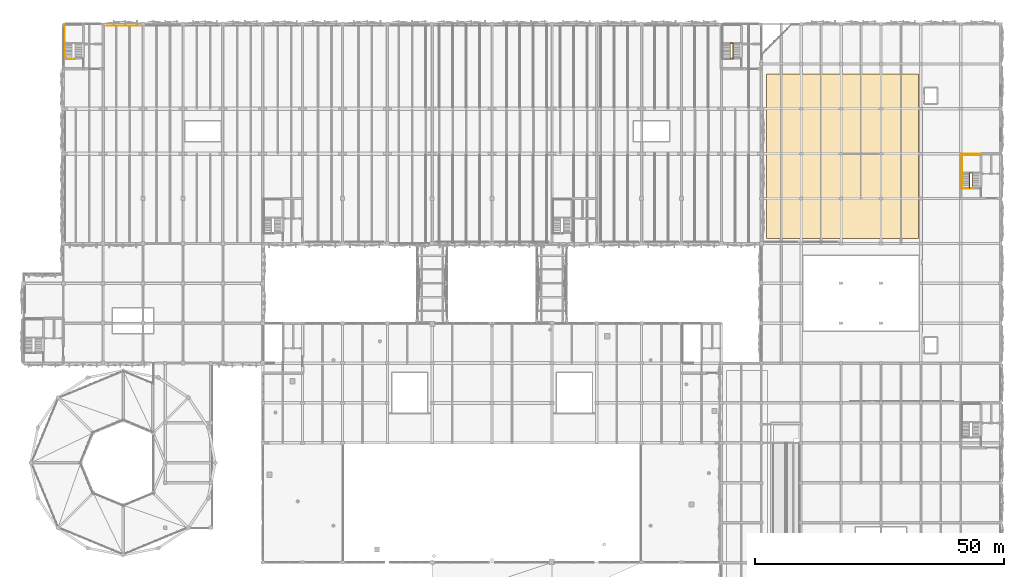
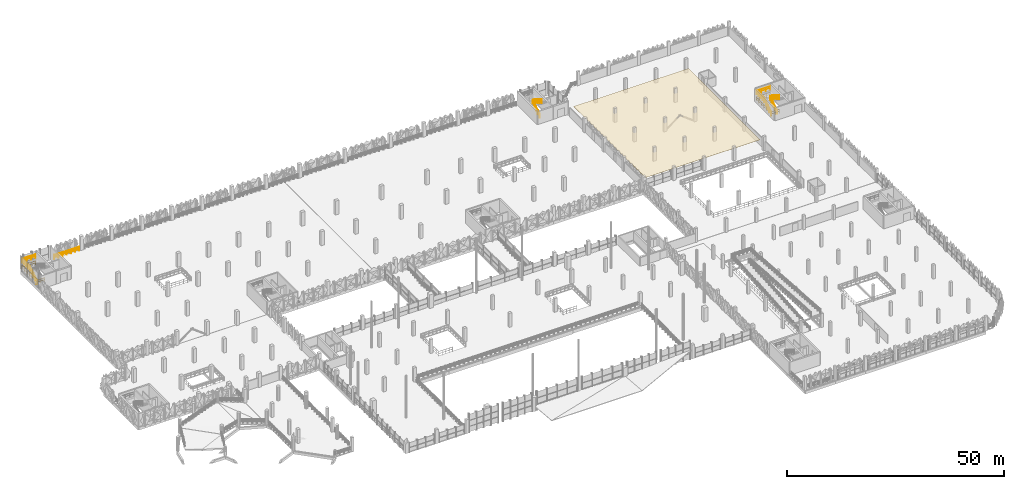
# One storey, part 121 of 123: 7 railings, 1 covering.
"""IFC4 building model written with IfcOpenShell, lengths in metres."""

from ifc_helpers import new_model, si_unit, derived_unit, direction, frame, origin, origin_2d, place, context, subcontext, project, spatial, polyline, circle, outline, extrude, material, layer, layer_set, type_object, element, save


model = new_model("IFC4")

# Units and contexts
model_context = context("Model", 3, precision=1e-05, world=origin(), true_north=direction((0.0, 1.0)))
body_context = subcontext(model_context, "Body", "Model", "MODEL_VIEW")
ifc_project = project(units=[si_unit("LENGTHUNIT", "METRE"), si_unit("AREAUNIT", "SQUARE_METRE"), si_unit("VOLUMEUNIT", "CUBIC_METRE"), si_unit("PLANEANGLEUNIT", "RADIAN"), si_unit("MASSUNIT", "GRAM", prefix="KILO"), si_unit("THERMODYNAMICTEMPERATUREUNIT", "KELVIN"), derived_unit("THERMALTRANSMITTANCEUNIT", [(si_unit("POWERUNIT", "WATT"), 1), (si_unit("AREAUNIT", "SQUARE_METRE"), -1), (si_unit("THERMODYNAMICTEMPERATUREUNIT", "KELVIN"), -1)])], contexts=[model_context])

# Site, building, storey
site_placement = place(None, origin())
site = spatial("IfcSite", under=ifc_project, at=site_placement, CompositionType="ELEMENT")
building_placement = place(site_placement, origin())
building = spatial("IfcBuilding", under=site, at=building_placement, Name="Haiyu Intermodal Mobility Hub", CompositionType="ELEMENT")
storey_placement = place(building_placement, frame((0.0, 0.0, 5.60009765625)))
storey = spatial("IfcBuildingStorey", under=building, at=storey_placement, Name="L01", CompositionType="ELEMENT", Elevation=5.60009765625)

# Covering
ifc_material_1 = material(Name="Champagne perforated aluminium 6063-T6", Category="aluminium")
ifc_layer = layer(ifc_material_1, 0.139892578125)
ifc_layer_set = layer_set([ifc_layer], Name="Champagne perforated aluminium 6063-T6")
covering_type = type_object("IfcCoveringType", Name="COV-CV01", PredefinedType="CLADDING", material=ifc_layer_set)
covering_placement = place(storey_placement, frame((0.0, 0.0, 2.39990234375)))
element("IfcCovering", 1, at=covering_placement, inside=storey, type_object=covering_type, Name="COV-CEIL-003", PredefinedType="CLADDING", context=body_context, shape_type="SweptSolid", body=[
    extrude(outline(polyline([(163.0, 105.0), (193.5, 105.0), (193.5, 138.0), (163.0, 138.0), (163.0, 105.0)])), origin(), (0.0, 0.0, 1.0), 0.044921875),
])

# Railings
ifc_material_2 = material(Name="Steel Q355C", Category="steel")
railing_type_1 = type_object("IfcRailingType", Name="RAL-GR01", PredefinedType="GUARDRAIL", material=ifc_material_2)
railing_1_placement = place(storey_placement, frame((37.300048828125, 147.659912109375, 0.0)))
element("IfcRailing", 2, at=railing_1_placement, inside=storey, type_object=railing_type_1, Name="RAL-CAR-N-0009", PredefinedType="GUARDRAIL", context=body_context, shape_type="SweptSolid", body=[
    extrude(circle(Radius=0.02392578125, at=origin_2d()), frame((-0.030029296875, 0.0, 1.17578125), z_axis=(-1.0, 0.0, 0.0), x_axis=(0.0, -1.0, 0.0)), (0.0, 0.0, 1.0), 6.5400390625),
    extrude(circle(Radius=0.02392578125, at=origin_2d()), frame((-0.037353515625, 0.0, 0.60009765625), z_axis=(-1.0, 0.0, 0.0), x_axis=(0.0, -1.0, 0.0)), (0.0, 0.0, 1.0), 1.025390625),
    extrude(circle(Radius=0.02392578125, at=origin_2d()), frame((-1.13720703125, 0.0, 0.60009765625), z_axis=(-1.0, 0.0, 0.0), x_axis=(0.0, -1.0, 0.0)), (0.0, 0.0, 1.0), 1.025390625),
    extrude(circle(Radius=0.02392578125, at=origin_2d()), frame((-2.2373046875, 0.0, 0.60009765625), z_axis=(-1.0, 0.0, 0.0), x_axis=(0.0, -1.0, 0.0)), (0.0, 0.0, 1.0), 1.025390625),
    extrude(circle(Radius=0.02392578125, at=origin_2d()), frame((-3.33740234375, 0.0, 0.60009765625), z_axis=(-1.0, 0.0, 0.0), x_axis=(0.0, -1.0, 0.0)), (0.0, 0.0, 1.0), 1.025390625),
    extrude(circle(Radius=0.02392578125, at=origin_2d()), frame((-4.437255859375, 0.0, 0.60009765625), z_axis=(-1.0, 0.0, 0.0), x_axis=(0.0, -1.0, 0.0)), (0.0, 0.0, 1.0), 1.025390625),
    extrude(circle(Radius=0.02392578125, at=origin_2d()), frame((-5.537353515625, 0.0, 0.60009765625), z_axis=(-1.0, 0.0, 0.0), x_axis=(0.0, -1.0, 0.0)), (0.0, 0.0, 1.0), 1.025390625),
    extrude(circle(Radius=0.02099609375, at=origin_2d()), origin(), (0.0, 0.0, 1.0), 1.143798828125),
    extrude(circle(Radius=0.02099609375, at=origin_2d()), frame((-1.10009765625, 0.0, 0.0)), (0.0, 0.0, 1.0), 1.143798828125),
    extrude(circle(Radius=0.02099609375, at=origin_2d()), frame((-2.199951171875, 0.0, 0.0)), (0.0, 0.0, 1.0), 1.143798828125),
    extrude(circle(Radius=0.02099609375, at=origin_2d()), frame((-3.300048828125, 0.0, 0.0)), (0.0, 0.0, 1.0), 1.143798828125),
    extrude(circle(Radius=0.02099609375, at=origin_2d()), frame((-4.400146484375, 0.0, 0.0)), (0.0, 0.0, 1.0), 1.143798828125),
    extrude(circle(Radius=0.02099609375, at=origin_2d()), frame((-5.5, 0.0, 0.0)), (0.0, 0.0, 1.0), 1.143798828125),
    extrude(circle(Radius=0.02099609375, at=origin_2d()), frame((-6.60009765625, 0.0, 0.0)), (0.0, 0.0, 1.0), 1.143798828125),
])
railing_type_2 = type_object("IfcRailingType", Name="RAL-GR03", PredefinedType="GUARDRAIL", material=ifc_material_2)
railing_2_placement = place(storey_placement, frame((24.31005859375, 141.010009765625, 0.0)))
element("IfcRailing", 3, at=railing_2_placement, inside=storey, type_object=railing_type_2, Name="Stair Shaft Floor Guard STR-C3-L00", PredefinedType="GUARDRAIL", context=body_context, shape_type="SweptSolid", body=[
    extrude(circle(Radius=0.02392578125, at=origin_2d()), frame((-0.030029296875, 0.0, 1.09619140625), z_axis=(-1.0, 0.0, 0.0), x_axis=(0.0, -1.0, 0.0)), (0.0, 0.0, 1.0), 2.030029296875),
    extrude(circle(Radius=0.02392578125, at=origin_2d()), frame((-0.037353515625, 0.0, 0.56005859375), z_axis=(-1.0, 0.0, 0.0), x_axis=(0.0, -1.0, 0.0)), (0.0, 0.0, 1.0), 0.970458984375),
    extrude(circle(Radius=0.02392578125, at=origin_2d()), frame((-1.082275390625, 0.0, 0.56005859375), z_axis=(-1.0, 0.0, 0.0), x_axis=(0.0, -1.0, 0.0)), (0.0, 0.0, 1.0), 0.970458984375),
    extrude(circle(Radius=0.02392578125, at=origin_2d()), frame((-2.090087890625, 0.030029296875, 1.09619140625), z_axis=(0.0, 1.0, 0.0), x_axis=(-1.0, 0.0, 0.0)), (0.0, 0.0, 1.0), 6.8798828125),
    extrude(circle(Radius=0.02392578125, at=origin_2d()), frame((-2.090087890625, 0.037353515625, 0.56005859375), z_axis=(0.0, 1.0, 0.0), x_axis=(-1.0, 0.0, 0.0)), (0.0, 0.0, 1.0), 1.08203125),
    extrude(circle(Radius=0.02392578125, at=origin_2d()), frame((-2.090087890625, 1.19384765625, 0.56005859375), z_axis=(0.0, 1.0, 0.0), x_axis=(-1.0, 0.0, 0.0)), (0.0, 0.0, 1.0), 1.08203125),
    extrude(circle(Radius=0.02392578125, at=origin_2d()), frame((-2.090087890625, 2.3505859375, 0.56005859375), z_axis=(0.0, 1.0, 0.0), x_axis=(-1.0, 0.0, 0.0)), (0.0, 0.0, 1.0), 1.08203125),
    extrude(circle(Radius=0.02392578125, at=origin_2d()), frame((-2.090087890625, 3.50732421875, 0.56005859375), z_axis=(0.0, 1.0, 0.0), x_axis=(-1.0, 0.0, 0.0)), (0.0, 0.0, 1.0), 1.08203125),
    extrude(circle(Radius=0.02392578125, at=origin_2d()), frame((-2.090087890625, 4.663818359375, 0.56005859375), z_axis=(0.0, 1.0, 0.0), x_axis=(-1.0, 0.0, 0.0)), (0.0, 0.0, 1.0), 1.08203125),
    extrude(circle(Radius=0.02392578125, at=origin_2d()), frame((-2.090087890625, 5.820556640625, 0.56005859375), z_axis=(0.0, 1.0, 0.0), x_axis=(-1.0, 0.0, 0.0)), (0.0, 0.0, 1.0), 1.08203125),
    extrude(circle(Radius=0.02392578125, at=origin_2d()), frame((-2.06005859375, 6.93994140625, 1.09619140625), z_axis=(1.0, 0.0, 0.0), x_axis=(0.0, 1.0, 0.0)), (0.0, 0.0, 1.0), 3.590087890625),
    extrude(circle(Radius=0.02392578125, at=origin_2d()), frame((-2.052734375, 6.93994140625, 0.56005859375), z_axis=(1.0, 0.0, 0.0), x_axis=(0.0, 1.0, 0.0)), (0.0, 0.0, 1.0), 0.837890625),
    extrude(circle(Radius=0.02392578125, at=origin_2d()), frame((-1.14013671875, 6.93994140625, 0.56005859375), z_axis=(1.0, 0.0, 0.0), x_axis=(0.0, 1.0, 0.0)), (0.0, 0.0, 1.0), 0.837890625),
    extrude(circle(Radius=0.02392578125, at=origin_2d()), frame((-0.227783203125, 6.93994140625, 0.56005859375), z_axis=(1.0, 0.0, 0.0), x_axis=(0.0, 1.0, 0.0)), (0.0, 0.0, 1.0), 0.837890625),
    extrude(circle(Radius=0.02392578125, at=origin_2d()), frame((0.684814453125, 6.93994140625, 0.56005859375), z_axis=(1.0, 0.0, 0.0), x_axis=(0.0, 1.0, 0.0)), (0.0, 0.0, 1.0), 0.837890625),
    extrude(circle(Radius=0.02099609375, at=origin_2d()), origin(), (0.0, 0.0, 1.0), 1.06396484375),
    extrude(circle(Radius=0.02099609375, at=origin_2d()), frame((-1.044921875, 0.0, 0.0)), (0.0, 0.0, 1.0), 1.06396484375),
    extrude(circle(Radius=0.02099609375, at=origin_2d()), frame((-2.090087890625, 0.0, 0.0)), (0.0, 0.0, 1.0), 1.06396484375),
    extrude(circle(Radius=0.02099609375, at=origin_2d()), frame((-2.090087890625, 1.15673828125, 0.0)), (0.0, 0.0, 1.0), 1.06396484375),
    extrude(circle(Radius=0.02099609375, at=origin_2d()), frame((-2.090087890625, 2.313232421875, 0.0)), (0.0, 0.0, 1.0), 1.06396484375),
    extrude(circle(Radius=0.02099609375, at=origin_2d()), frame((-2.090087890625, 3.469970703125, 0.0)), (0.0, 0.0, 1.0), 1.06396484375),
    extrude(circle(Radius=0.02099609375, at=origin_2d()), frame((-2.090087890625, 4.626708984375, 0.0)), (0.0, 0.0, 1.0), 1.06396484375),
    extrude(circle(Radius=0.02099609375, at=origin_2d()), frame((-2.090087890625, 5.783203125, 0.0)), (0.0, 0.0, 1.0), 1.06396484375),
    extrude(circle(Radius=0.02099609375, at=origin_2d()), frame((-2.090087890625, 6.93994140625, 0.0)), (0.0, 0.0, 1.0), 1.06396484375),
    extrude(circle(Radius=0.02099609375, at=origin_2d()), frame((-1.177490234375, 6.93994140625, 0.0)), (0.0, 0.0, 1.0), 1.06396484375),
    extrude(circle(Radius=0.02099609375, at=origin_2d()), frame((-0.26513671875, 6.93994140625, 0.0)), (0.0, 0.0, 1.0), 1.06396484375),
    extrude(circle(Radius=0.02099609375, at=origin_2d()), frame((0.6474609375, 6.93994140625, 0.0)), (0.0, 0.0, 1.0), 1.06396484375),
    extrude(circle(Radius=0.02099609375, at=origin_2d()), frame((1.56005859375, 6.93994140625, 0.0)), (0.0, 0.0, 1.0), 1.06396484375),
])
railing_3_placement = place(storey_placement, frame((22.25, 141.050048828125, 0.0)))
element("IfcRailing", 4, at=railing_3_placement, inside=storey, type_object=railing_type_2, Name="Stair Outer Guard STR-C3-L01", PredefinedType="GUARDRAIL", context=body_context, shape_type="SweptSolid", body=[
    extrude(circle(Radius=0.02392578125, at=origin_2d()), frame((0.0, 0.025390625, 1.112060546875), z_axis=(0.0, 0.844894753029, 0.534932571736), x_axis=(-1.0, 0.0, 0.0)), (0.0, 0.0, 1.0), 3.585205078125),
    extrude(circle(Radius=0.02392578125, at=origin_2d()), frame((0.0, 0.031494140625, 0.580078125), z_axis=(0.0, 0.844894753029, 0.534932571736), x_axis=(-1.0, 0.0, 0.0)), (0.0, 0.0, 1.0), 0.836669921875),
    extrude(circle(Radius=0.02392578125, at=origin_2d()), frame((0.0, 0.801513671875, 1.0673828125), z_axis=(0.0, 0.844894753029, 0.534932571736), x_axis=(-1.0, 0.0, 0.0)), (0.0, 0.0, 1.0), 0.836669921875),
    extrude(circle(Radius=0.02392578125, at=origin_2d()), frame((0.0, 1.571533203125, 1.554931640625), z_axis=(0.0, 0.844894753029, 0.534932571736), x_axis=(-1.0, 0.0, 0.0)), (0.0, 0.0, 1.0), 0.836669921875),
    extrude(circle(Radius=0.02392578125, at=origin_2d()), frame((0.0, 2.34130859375, 2.04248046875), z_axis=(0.0, 0.844894753029, 0.534932571736), x_axis=(-1.0, 0.0, 0.0)), (0.0, 0.0, 1.0), 0.836669921875),
    extrude(circle(Radius=0.02392578125, at=origin_2d()), frame((0.0, 3.10986328125, 3.0458984375), z_axis=(0.0, 1.0, 0.0), x_axis=(-1.0, 0.0, 0.0)), (0.0, 0.0, 1.0), 3.570068359375),
    extrude(circle(Radius=0.02392578125, at=origin_2d()), frame((0.0, 3.1171875, 2.510009765625), z_axis=(0.0, 1.0, 0.0), x_axis=(-1.0, 0.0, 0.0)), (0.0, 0.0, 1.0), 0.8330078125),
    extrude(circle(Radius=0.02392578125, at=origin_2d()), frame((0.0, 4.024658203125, 2.510009765625), z_axis=(0.0, 1.0, 0.0), x_axis=(-1.0, 0.0, 0.0)), (0.0, 0.0, 1.0), 0.8330078125),
    extrude(circle(Radius=0.02392578125, at=origin_2d()), frame((0.0, 4.93212890625, 2.510009765625), z_axis=(0.0, 1.0, 0.0), x_axis=(-1.0, 0.0, 0.0)), (0.0, 0.0, 1.0), 0.8330078125),
    extrude(circle(Radius=0.02392578125, at=origin_2d()), frame((0.0, 5.83984375, 2.510009765625), z_axis=(0.0, 1.0, 0.0), x_axis=(-1.0, 0.0, 0.0)), (0.0, 0.0, 1.0), 0.8330078125),
    extrude(circle(Radius=0.02392578125, at=origin_2d()), frame((0.030029296875, 6.7099609375, 3.0458984375), z_axis=(1.0, 0.0, 0.0), x_axis=(0.0, 1.0, 0.0)), (0.0, 0.0, 1.0), 3.52001953125),
    extrude(circle(Radius=0.02392578125, at=origin_2d()), frame((0.037353515625, 6.7099609375, 2.510009765625), z_axis=(1.0, 0.0, 0.0), x_axis=(0.0, 1.0, 0.0)), (0.0, 0.0, 1.0), 1.11865234375),
    extrude(circle(Radius=0.02392578125, at=origin_2d()), frame((1.230712890625, 6.7099609375, 2.510009765625), z_axis=(1.0, 0.0, 0.0), x_axis=(0.0, 1.0, 0.0)), (0.0, 0.0, 1.0), 1.11865234375),
    extrude(circle(Radius=0.02392578125, at=origin_2d()), frame((2.424072265625, 6.7099609375, 2.510009765625), z_axis=(1.0, 0.0, 0.0), x_axis=(0.0, 1.0, 0.0)), (0.0, 0.0, 1.0), 1.11865234375),
    extrude(circle(Radius=0.02099609375, at=origin_2d()), origin(), (0.0, 0.0, 1.0), 1.06396484375),
    extrude(circle(Radius=0.02099609375, at=origin_2d()), frame((0.0, 0.77001953125, 0.487548828125)), (0.0, 0.0, 1.0), 1.06396484375),
    extrude(circle(Radius=0.02099609375, at=origin_2d()), frame((0.0, 1.5400390625, 0.97509765625)), (0.0, 0.0, 1.0), 1.06396484375),
    extrude(circle(Radius=0.02099609375, at=origin_2d()), frame((0.0, 2.309814453125, 1.46240234375)), (0.0, 0.0, 1.0), 1.06396484375),
    extrude(circle(Radius=0.02099609375, at=origin_2d()), frame((0.0, 3.079833984375, 1.949951171875)), (0.0, 0.0, 1.0), 1.06396484375),
    extrude(circle(Radius=0.02099609375, at=origin_2d()), frame((0.0, 3.9873046875, 1.949951171875)), (0.0, 0.0, 1.0), 1.06396484375),
    extrude(circle(Radius=0.02099609375, at=origin_2d()), frame((0.0, 4.89501953125, 1.949951171875)), (0.0, 0.0, 1.0), 1.06396484375),
    extrude(circle(Radius=0.02099609375, at=origin_2d()), frame((0.0, 5.802490234375, 1.949951171875)), (0.0, 0.0, 1.0), 1.06396484375),
    extrude(circle(Radius=0.02099609375, at=origin_2d()), frame((0.0, 6.7099609375, 1.949951171875)), (0.0, 0.0, 1.0), 1.06396484375),
    extrude(circle(Radius=0.02099609375, at=origin_2d()), frame((1.193359375, 6.7099609375, 1.949951171875)), (0.0, 0.0, 1.0), 1.06396484375),
    extrude(circle(Radius=0.02099609375, at=origin_2d()), frame((2.38671875, 6.7099609375, 1.949951171875)), (0.0, 0.0, 1.0), 1.06396484375),
    extrude(circle(Radius=0.02099609375, at=origin_2d()), frame((3.580078125, 6.7099609375, 1.949951171875)), (0.0, 0.0, 1.0), 1.06396484375),
])
railing_4_placement = place(storey_placement, frame((155.780029296875, 141.050048828125, 0.0)))
element("IfcRailing", 5, at=railing_4_placement, inside=storey, type_object=railing_type_2, Name="Stair Well Guard STR-C4-L01", PredefinedType="GUARDRAIL", context=body_context, shape_type="SweptSolid", body=[
    extrude(circle(Radius=0.02392578125, at=origin_2d()), frame((0.0, 0.025390625, 1.11181640625), z_axis=(0.0, 0.848756196164, 0.528784378999), x_axis=(-1.0, 0.0, 0.0)), (0.0, 0.0, 1.0), 3.627685546875),
    extrude(circle(Radius=0.02392578125, at=origin_2d()), frame((0.0, 0.03173828125, 0.579833984375), z_axis=(0.0, 0.848756196164, 0.528784378999), x_axis=(-1.0, 0.0, 0.0)), (0.0, 0.0, 1.0), 0.847412109375),
    extrude(circle(Radius=0.02392578125, at=origin_2d()), frame((0.0, 0.814208984375, 1.0673828125), z_axis=(0.0, 0.848756196164, 0.528784378999), x_axis=(-1.0, 0.0, 0.0)), (0.0, 0.0, 1.0), 0.847412109375),
    extrude(circle(Radius=0.02392578125, at=origin_2d()), frame((0.0, 1.5966796875, 1.5546875), z_axis=(0.0, 0.848756196164, 0.528784378999), x_axis=(-1.0, 0.0, 0.0)), (0.0, 0.0, 1.0), 0.847412109375),
    extrude(circle(Radius=0.02392578125, at=origin_2d()), frame((0.0, 2.379150390625, 2.042236328125), z_axis=(0.0, 0.848756196164, 0.528784378999), x_axis=(-1.0, 0.0, 0.0)), (0.0, 0.0, 1.0), 0.847412109375),
    extrude(circle(Radius=0.02392578125, at=origin_2d()), frame((0.030029296875, 3.1298828125, 3.0458984375), z_axis=(1.0, 0.0, 0.0), x_axis=(0.0, 1.0, 0.0)), (0.0, 0.0, 1.0), 0.469970703125),
    extrude(circle(Radius=0.02392578125, at=origin_2d()), frame((0.037353515625, 3.1298828125, 2.510009765625), z_axis=(1.0, 0.0, 0.0), x_axis=(0.0, 1.0, 0.0)), (0.0, 0.0, 1.0), 0.455322265625),
    extrude(circle(Radius=0.02392578125, at=origin_2d()), frame((0.530029296875, 3.1044921875, 3.061767578125), z_axis=(0.0, -0.848756196164, 0.528784378999), x_axis=(1.0, 0.0, 0.0)), (0.0, 0.0, 1.0), 3.627685546875),
    extrude(circle(Radius=0.02392578125, at=origin_2d()), frame((0.530029296875, 3.09814453125, 2.52978515625), z_axis=(0.0, -0.848756196164, 0.528784378999), x_axis=(1.0, 0.0, 0.0)), (0.0, 0.0, 1.0), 0.847412109375),
    extrude(circle(Radius=0.02392578125, at=origin_2d()), frame((0.530029296875, 2.315673828125, 3.017333984375), z_axis=(0.0, -0.848756196164, 0.528784378999), x_axis=(1.0, 0.0, 0.0)), (0.0, 0.0, 1.0), 0.847412109375),
    extrude(circle(Radius=0.02392578125, at=origin_2d()), frame((0.530029296875, 1.533203125, 3.504638671875), z_axis=(0.0, -0.848756196164, 0.528784378999), x_axis=(1.0, 0.0, 0.0)), (0.0, 0.0, 1.0), 0.847412109375),
    extrude(circle(Radius=0.02392578125, at=origin_2d()), frame((0.530029296875, 0.750732421875, 3.9921875), z_axis=(0.0, -0.848756196164, 0.528784378999), x_axis=(1.0, 0.0, 0.0)), (0.0, 0.0, 1.0), 0.847412109375),
    extrude(circle(Radius=0.02099609375, at=origin_2d()), origin(), (0.0, 0.0, 1.0), 1.06396484375),
    extrude(circle(Radius=0.02099609375, at=origin_2d()), frame((0.0, 0.782470703125, 0.487548828125)), (0.0, 0.0, 1.0), 1.06396484375),
    extrude(circle(Radius=0.02099609375, at=origin_2d()), frame((0.0, 1.56494140625, 0.97509765625)), (0.0, 0.0, 1.0), 1.06396484375),
    extrude(circle(Radius=0.02099609375, at=origin_2d()), frame((0.0, 2.347412109375, 1.46240234375)), (0.0, 0.0, 1.0), 1.06396484375),
    extrude(circle(Radius=0.02099609375, at=origin_2d()), frame((0.0, 3.1298828125, 1.949951171875)), (0.0, 0.0, 1.0), 1.06396484375),
    extrude(circle(Radius=0.02099609375, at=origin_2d()), frame((0.530029296875, 3.1298828125, 1.949951171875)), (0.0, 0.0, 1.0), 1.06396484375),
    extrude(circle(Radius=0.02099609375, at=origin_2d()), frame((0.530029296875, 2.347412109375, 2.4375)), (0.0, 0.0, 1.0), 1.06396484375),
    extrude(circle(Radius=0.02099609375, at=origin_2d()), frame((0.530029296875, 1.56494140625, 2.9248046875)), (0.0, 0.0, 1.0), 1.06396484375),
    extrude(circle(Radius=0.02099609375, at=origin_2d()), frame((0.530029296875, 0.782470703125, 3.412353515625)), (0.0, 0.0, 1.0), 1.06396484375),
    extrude(circle(Radius=0.02099609375, at=origin_2d()), frame((0.530029296875, 0.0, 3.89990234375)), (0.0, 0.0, 1.0), 1.06396484375),
])
railing_5_placement = place(storey_placement, frame((204.31005859375, 115.010009765625, 0.0)))
element("IfcRailing", 6, at=railing_5_placement, inside=storey, type_object=railing_type_2, Name="Stair Shaft Floor Guard STR-C10-L00", PredefinedType="GUARDRAIL", context=body_context, shape_type="SweptSolid", body=[
    extrude(circle(Radius=0.02392578125, at=origin_2d()), frame((-0.030029296875, 0.0, 1.09619140625), z_axis=(-1.0, 0.0, 0.0), x_axis=(0.0, -1.0, 0.0)), (0.0, 0.0, 1.0), 2.030029296875),
    extrude(circle(Radius=0.02392578125, at=origin_2d()), frame((-0.037353515625, 0.0, 0.56005859375), z_axis=(-1.0, 0.0, 0.0), x_axis=(0.0, -1.0, 0.0)), (0.0, 0.0, 1.0), 0.970458984375),
    extrude(circle(Radius=0.02392578125, at=origin_2d()), frame((-1.082275390625, 0.0, 0.56005859375), z_axis=(-1.0, 0.0, 0.0), x_axis=(0.0, -1.0, 0.0)), (0.0, 0.0, 1.0), 0.970458984375),
    extrude(circle(Radius=0.02392578125, at=origin_2d()), frame((-2.090087890625, 0.030029296875, 1.09619140625), z_axis=(0.0, 1.0, 0.0), x_axis=(-1.0, 0.0, 0.0)), (0.0, 0.0, 1.0), 6.8798828125),
    extrude(circle(Radius=0.02392578125, at=origin_2d()), frame((-2.090087890625, 0.037353515625, 0.56005859375), z_axis=(0.0, 1.0, 0.0), x_axis=(-1.0, 0.0, 0.0)), (0.0, 0.0, 1.0), 1.08203125),
    extrude(circle(Radius=0.02392578125, at=origin_2d()), frame((-2.090087890625, 1.19384765625, 0.56005859375), z_axis=(0.0, 1.0, 0.0), x_axis=(-1.0, 0.0, 0.0)), (0.0, 0.0, 1.0), 1.08203125),
    extrude(circle(Radius=0.02392578125, at=origin_2d()), frame((-2.090087890625, 2.3505859375, 0.56005859375), z_axis=(0.0, 1.0, 0.0), x_axis=(-1.0, 0.0, 0.0)), (0.0, 0.0, 1.0), 1.08203125),
    extrude(circle(Radius=0.02392578125, at=origin_2d()), frame((-2.090087890625, 3.50732421875, 0.56005859375), z_axis=(0.0, 1.0, 0.0), x_axis=(-1.0, 0.0, 0.0)), (0.0, 0.0, 1.0), 1.08203125),
    extrude(circle(Radius=0.02392578125, at=origin_2d()), frame((-2.090087890625, 4.663818359375, 0.56005859375), z_axis=(0.0, 1.0, 0.0), x_axis=(-1.0, 0.0, 0.0)), (0.0, 0.0, 1.0), 1.08203125),
    extrude(circle(Radius=0.02392578125, at=origin_2d()), frame((-2.090087890625, 5.820556640625, 0.56005859375), z_axis=(0.0, 1.0, 0.0), x_axis=(-1.0, 0.0, 0.0)), (0.0, 0.0, 1.0), 1.08203125),
    extrude(circle(Radius=0.02392578125, at=origin_2d()), frame((-2.06005859375, 6.93994140625, 1.09619140625), z_axis=(1.0, 0.0, 0.0), x_axis=(0.0, 1.0, 0.0)), (0.0, 0.0, 1.0), 3.590087890625),
    extrude(circle(Radius=0.02392578125, at=origin_2d()), frame((-2.052734375, 6.93994140625, 0.56005859375), z_axis=(1.0, 0.0, 0.0), x_axis=(0.0, 1.0, 0.0)), (0.0, 0.0, 1.0), 0.837890625),
    extrude(circle(Radius=0.02392578125, at=origin_2d()), frame((-1.14013671875, 6.93994140625, 0.56005859375), z_axis=(1.0, 0.0, 0.0), x_axis=(0.0, 1.0, 0.0)), (0.0, 0.0, 1.0), 0.837890625),
    extrude(circle(Radius=0.02392578125, at=origin_2d()), frame((-0.227783203125, 6.93994140625, 0.56005859375), z_axis=(1.0, 0.0, 0.0), x_axis=(0.0, 1.0, 0.0)), (0.0, 0.0, 1.0), 0.837890625),
    extrude(circle(Radius=0.02392578125, at=origin_2d()), frame((0.684814453125, 6.93994140625, 0.56005859375), z_axis=(1.0, 0.0, 0.0), x_axis=(0.0, 1.0, 0.0)), (0.0, 0.0, 1.0), 0.837890625),
    extrude(circle(Radius=0.02099609375, at=origin_2d()), origin(), (0.0, 0.0, 1.0), 1.06396484375),
    extrude(circle(Radius=0.02099609375, at=origin_2d()), frame((-1.044921875, 0.0, 0.0)), (0.0, 0.0, 1.0), 1.06396484375),
    extrude(circle(Radius=0.02099609375, at=origin_2d()), frame((-2.090087890625, 0.0, 0.0)), (0.0, 0.0, 1.0), 1.06396484375),
    extrude(circle(Radius=0.02099609375, at=origin_2d()), frame((-2.090087890625, 1.15673828125, 0.0)), (0.0, 0.0, 1.0), 1.06396484375),
    extrude(circle(Radius=0.02099609375, at=origin_2d()), frame((-2.090087890625, 2.313232421875, 0.0)), (0.0, 0.0, 1.0), 1.06396484375),
    extrude(circle(Radius=0.02099609375, at=origin_2d()), frame((-2.090087890625, 3.469970703125, 0.0)), (0.0, 0.0, 1.0), 1.06396484375),
    extrude(circle(Radius=0.02099609375, at=origin_2d()), frame((-2.090087890625, 4.626708984375, 0.0)), (0.0, 0.0, 1.0), 1.06396484375),
    extrude(circle(Radius=0.02099609375, at=origin_2d()), frame((-2.090087890625, 5.783203125, 0.0)), (0.0, 0.0, 1.0), 1.06396484375),
    extrude(circle(Radius=0.02099609375, at=origin_2d()), frame((-2.090087890625, 6.93994140625, 0.0)), (0.0, 0.0, 1.0), 1.06396484375),
    extrude(circle(Radius=0.02099609375, at=origin_2d()), frame((-1.177490234375, 6.93994140625, 0.0)), (0.0, 0.0, 1.0), 1.06396484375),
    extrude(circle(Radius=0.02099609375, at=origin_2d()), frame((-0.26513671875, 6.93994140625, 0.0)), (0.0, 0.0, 1.0), 1.06396484375),
    extrude(circle(Radius=0.02099609375, at=origin_2d()), frame((0.6474609375, 6.93994140625, 0.0)), (0.0, 0.0, 1.0), 1.06396484375),
    extrude(circle(Radius=0.02099609375, at=origin_2d()), frame((1.56005859375, 6.93994140625, 0.0)), (0.0, 0.0, 1.0), 1.06396484375),
])
railing_6_placement = place(storey_placement, frame((203.780029296875, 115.050048828125, 0.0)))
element("IfcRailing", 7, at=railing_6_placement, inside=storey, type_object=railing_type_2, Name="Stair Well Guard STR-C10-L01", PredefinedType="GUARDRAIL", context=body_context, shape_type="SweptSolid", body=[
    extrude(circle(Radius=0.02392578125, at=origin_2d()), frame((0.0, 0.025390625, 1.11181640625), z_axis=(0.0, 0.848756196164, 0.528784378999), x_axis=(-1.0, 0.0, 0.0)), (0.0, 0.0, 1.0), 3.627685546875),
    extrude(circle(Radius=0.02392578125, at=origin_2d()), frame((0.0, 0.03173828125, 0.579833984375), z_axis=(0.0, 0.848756196164, 0.528784378999), x_axis=(-1.0, 0.0, 0.0)), (0.0, 0.0, 1.0), 0.847412109375),
    extrude(circle(Radius=0.02392578125, at=origin_2d()), frame((0.0, 0.814208984375, 1.0673828125), z_axis=(0.0, 0.848756196164, 0.528784378999), x_axis=(-1.0, 0.0, 0.0)), (0.0, 0.0, 1.0), 0.847412109375),
    extrude(circle(Radius=0.02392578125, at=origin_2d()), frame((0.0, 1.5966796875, 1.5546875), z_axis=(0.0, 0.848756196164, 0.528784378999), x_axis=(-1.0, 0.0, 0.0)), (0.0, 0.0, 1.0), 0.847412109375),
    extrude(circle(Radius=0.02392578125, at=origin_2d()), frame((0.0, 2.379150390625, 2.042236328125), z_axis=(0.0, 0.848756196164, 0.528784378999), x_axis=(-1.0, 0.0, 0.0)), (0.0, 0.0, 1.0), 0.847412109375),
    extrude(circle(Radius=0.02392578125, at=origin_2d()), frame((0.030029296875, 3.1298828125, 3.0458984375), z_axis=(1.0, 0.0, 0.0), x_axis=(0.0, 1.0, 0.0)), (0.0, 0.0, 1.0), 0.469970703125),
    extrude(circle(Radius=0.02392578125, at=origin_2d()), frame((0.037353515625, 3.1298828125, 2.510009765625), z_axis=(1.0, 0.0, 0.0), x_axis=(0.0, 1.0, 0.0)), (0.0, 0.0, 1.0), 0.455322265625),
    extrude(circle(Radius=0.02392578125, at=origin_2d()), frame((0.530029296875, 3.1044921875, 3.061767578125), z_axis=(0.0, -0.848756196164, 0.528784378999), x_axis=(1.0, 0.0, 0.0)), (0.0, 0.0, 1.0), 3.627685546875),
    extrude(circle(Radius=0.02392578125, at=origin_2d()), frame((0.530029296875, 3.09814453125, 2.52978515625), z_axis=(0.0, -0.848756196164, 0.528784378999), x_axis=(1.0, 0.0, 0.0)), (0.0, 0.0, 1.0), 0.847412109375),
    extrude(circle(Radius=0.02392578125, at=origin_2d()), frame((0.530029296875, 2.315673828125, 3.017333984375), z_axis=(0.0, -0.848756196164, 0.528784378999), x_axis=(1.0, 0.0, 0.0)), (0.0, 0.0, 1.0), 0.847412109375),
    extrude(circle(Radius=0.02392578125, at=origin_2d()), frame((0.530029296875, 1.533203125, 3.504638671875), z_axis=(0.0, -0.848756196164, 0.528784378999), x_axis=(1.0, 0.0, 0.0)), (0.0, 0.0, 1.0), 0.847412109375),
    extrude(circle(Radius=0.02392578125, at=origin_2d()), frame((0.530029296875, 0.750732421875, 3.9921875), z_axis=(0.0, -0.848756196164, 0.528784378999), x_axis=(1.0, 0.0, 0.0)), (0.0, 0.0, 1.0), 0.847412109375),
    extrude(circle(Radius=0.02099609375, at=origin_2d()), origin(), (0.0, 0.0, 1.0), 1.06396484375),
    extrude(circle(Radius=0.02099609375, at=origin_2d()), frame((0.0, 0.782470703125, 0.487548828125)), (0.0, 0.0, 1.0), 1.06396484375),
    extrude(circle(Radius=0.02099609375, at=origin_2d()), frame((0.0, 1.56494140625, 0.97509765625)), (0.0, 0.0, 1.0), 1.06396484375),
    extrude(circle(Radius=0.02099609375, at=origin_2d()), frame((0.0, 2.347412109375, 1.46240234375)), (0.0, 0.0, 1.0), 1.06396484375),
    extrude(circle(Radius=0.02099609375, at=origin_2d()), frame((0.0, 3.1298828125, 1.949951171875)), (0.0, 0.0, 1.0), 1.06396484375),
    extrude(circle(Radius=0.02099609375, at=origin_2d()), frame((0.530029296875, 3.1298828125, 1.949951171875)), (0.0, 0.0, 1.0), 1.06396484375),
    extrude(circle(Radius=0.02099609375, at=origin_2d()), frame((0.530029296875, 2.347412109375, 2.4375)), (0.0, 0.0, 1.0), 1.06396484375),
    extrude(circle(Radius=0.02099609375, at=origin_2d()), frame((0.530029296875, 1.56494140625, 2.9248046875)), (0.0, 0.0, 1.0), 1.06396484375),
    extrude(circle(Radius=0.02099609375, at=origin_2d()), frame((0.530029296875, 0.782470703125, 3.412353515625)), (0.0, 0.0, 1.0), 1.06396484375),
    extrude(circle(Radius=0.02099609375, at=origin_2d()), frame((0.530029296875, 0.0, 3.89990234375)), (0.0, 0.0, 1.0), 1.06396484375),
])
railing_7_placement = place(storey_placement, frame((202.25, 115.050048828125, 0.0)))
element("IfcRailing", 8, at=railing_7_placement, inside=storey, type_object=railing_type_2, Name="Stair Outer Guard STR-C10-L01", PredefinedType="GUARDRAIL", context=body_context, shape_type="SweptSolid", body=[
    extrude(circle(Radius=0.02392578125, at=origin_2d()), frame((0.0, 0.025390625, 1.112060546875), z_axis=(0.0, 0.844894753029, 0.534932571736), x_axis=(-1.0, 0.0, 0.0)), (0.0, 0.0, 1.0), 3.585205078125),
    extrude(circle(Radius=0.02392578125, at=origin_2d()), frame((0.0, 0.031494140625, 0.580078125), z_axis=(0.0, 0.844894753029, 0.534932571736), x_axis=(-1.0, 0.0, 0.0)), (0.0, 0.0, 1.0), 0.836669921875),
    extrude(circle(Radius=0.02392578125, at=origin_2d()), frame((0.0, 0.801513671875, 1.0673828125), z_axis=(0.0, 0.844894753029, 0.534932571736), x_axis=(-1.0, 0.0, 0.0)), (0.0, 0.0, 1.0), 0.836669921875),
    extrude(circle(Radius=0.02392578125, at=origin_2d()), frame((0.0, 1.571533203125, 1.554931640625), z_axis=(0.0, 0.844894753029, 0.534932571736), x_axis=(-1.0, 0.0, 0.0)), (0.0, 0.0, 1.0), 0.836669921875),
    extrude(circle(Radius=0.02392578125, at=origin_2d()), frame((0.0, 2.34130859375, 2.04248046875), z_axis=(0.0, 0.844894753029, 0.534932571736), x_axis=(-1.0, 0.0, 0.0)), (0.0, 0.0, 1.0), 0.836669921875),
    extrude(circle(Radius=0.02392578125, at=origin_2d()), frame((0.0, 3.10986328125, 3.0458984375), z_axis=(0.0, 1.0, 0.0), x_axis=(-1.0, 0.0, 0.0)), (0.0, 0.0, 1.0), 3.570068359375),
    extrude(circle(Radius=0.02392578125, at=origin_2d()), frame((0.0, 3.1171875, 2.510009765625), z_axis=(0.0, 1.0, 0.0), x_axis=(-1.0, 0.0, 0.0)), (0.0, 0.0, 1.0), 0.8330078125),
    extrude(circle(Radius=0.02392578125, at=origin_2d()), frame((0.0, 4.024658203125, 2.510009765625), z_axis=(0.0, 1.0, 0.0), x_axis=(-1.0, 0.0, 0.0)), (0.0, 0.0, 1.0), 0.8330078125),
    extrude(circle(Radius=0.02392578125, at=origin_2d()), frame((0.0, 4.93212890625, 2.510009765625), z_axis=(0.0, 1.0, 0.0), x_axis=(-1.0, 0.0, 0.0)), (0.0, 0.0, 1.0), 0.8330078125),
    extrude(circle(Radius=0.02392578125, at=origin_2d()), frame((0.0, 5.83984375, 2.510009765625), z_axis=(0.0, 1.0, 0.0), x_axis=(-1.0, 0.0, 0.0)), (0.0, 0.0, 1.0), 0.8330078125),
    extrude(circle(Radius=0.02392578125, at=origin_2d()), frame((0.030029296875, 6.7099609375, 3.0458984375), z_axis=(1.0, 0.0, 0.0), x_axis=(0.0, 1.0, 0.0)), (0.0, 0.0, 1.0), 3.52001953125),
    extrude(circle(Radius=0.02392578125, at=origin_2d()), frame((0.037353515625, 6.7099609375, 2.510009765625), z_axis=(1.0, 0.0, 0.0), x_axis=(0.0, 1.0, 0.0)), (0.0, 0.0, 1.0), 1.11865234375),
    extrude(circle(Radius=0.02392578125, at=origin_2d()), frame((1.230712890625, 6.7099609375, 2.510009765625), z_axis=(1.0, 0.0, 0.0), x_axis=(0.0, 1.0, 0.0)), (0.0, 0.0, 1.0), 1.11865234375),
    extrude(circle(Radius=0.02392578125, at=origin_2d()), frame((2.424072265625, 6.7099609375, 2.510009765625), z_axis=(1.0, 0.0, 0.0), x_axis=(0.0, 1.0, 0.0)), (0.0, 0.0, 1.0), 1.11865234375),
    extrude(circle(Radius=0.02099609375, at=origin_2d()), origin(), (0.0, 0.0, 1.0), 1.06396484375),
    extrude(circle(Radius=0.02099609375, at=origin_2d()), frame((0.0, 0.77001953125, 0.487548828125)), (0.0, 0.0, 1.0), 1.06396484375),
    extrude(circle(Radius=0.02099609375, at=origin_2d()), frame((0.0, 1.5400390625, 0.97509765625)), (0.0, 0.0, 1.0), 1.06396484375),
    extrude(circle(Radius=0.02099609375, at=origin_2d()), frame((0.0, 2.309814453125, 1.46240234375)), (0.0, 0.0, 1.0), 1.06396484375),
    extrude(circle(Radius=0.02099609375, at=origin_2d()), frame((0.0, 3.079833984375, 1.949951171875)), (0.0, 0.0, 1.0), 1.06396484375),
    extrude(circle(Radius=0.02099609375, at=origin_2d()), frame((0.0, 3.9873046875, 1.949951171875)), (0.0, 0.0, 1.0), 1.06396484375),
    extrude(circle(Radius=0.02099609375, at=origin_2d()), frame((0.0, 4.89501953125, 1.949951171875)), (0.0, 0.0, 1.0), 1.06396484375),
    extrude(circle(Radius=0.02099609375, at=origin_2d()), frame((0.0, 5.802490234375, 1.949951171875)), (0.0, 0.0, 1.0), 1.06396484375),
    extrude(circle(Radius=0.02099609375, at=origin_2d()), frame((0.0, 6.7099609375, 1.949951171875)), (0.0, 0.0, 1.0), 1.06396484375),
    extrude(circle(Radius=0.02099609375, at=origin_2d()), frame((1.193359375, 6.7099609375, 1.949951171875)), (0.0, 0.0, 1.0), 1.06396484375),
    extrude(circle(Radius=0.02099609375, at=origin_2d()), frame((2.38671875, 6.7099609375, 1.949951171875)), (0.0, 0.0, 1.0), 1.06396484375),
    extrude(circle(Radius=0.02099609375, at=origin_2d()), frame((3.580078125, 6.7099609375, 1.949951171875)), (0.0, 0.0, 1.0), 1.06396484375),
])

save(model, "model.ifc")
